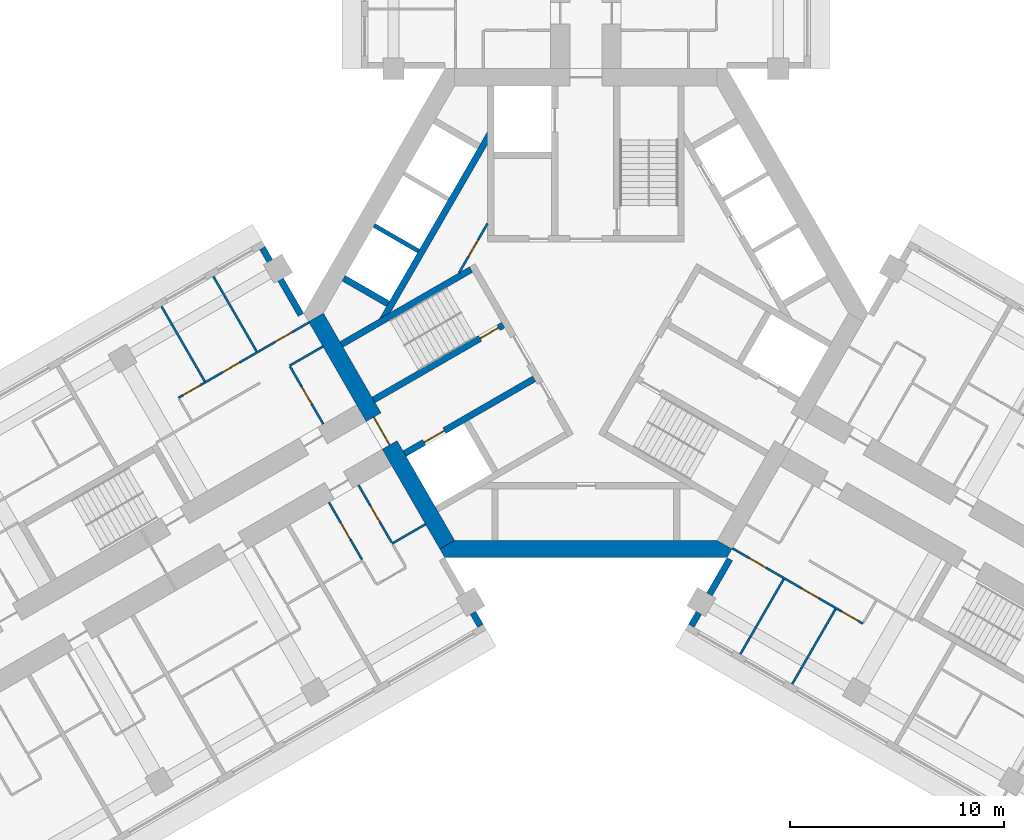
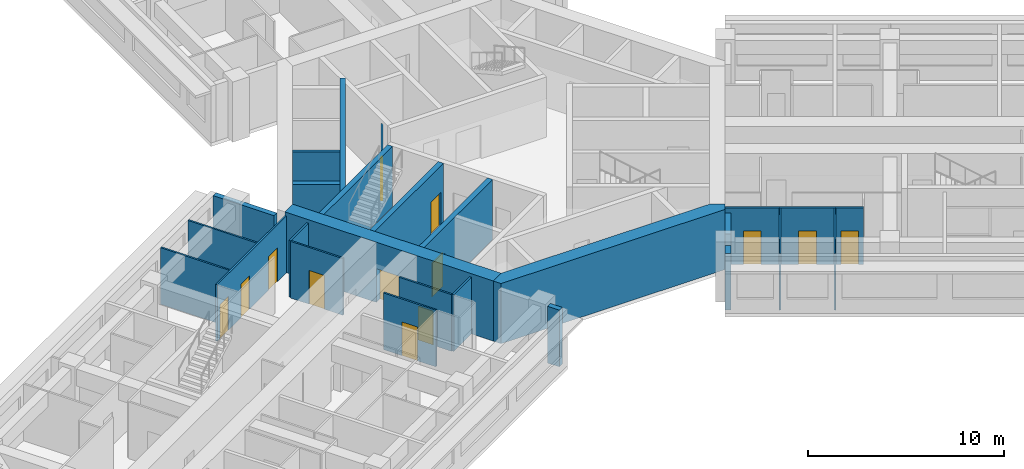
# One storey, part 5 of 14: 24 walls, 13 doors, 13 openings.
"""IFC4 building model written with IfcOpenShell, lengths in metres."""

from ifc_helpers import new_model, si_unit, direction, frame, frame_2d, origin, place, context, subcontext, project, spatial, polyline, rectangle, outline, extrude, material, layer, layer_set, type_object, element, fill, save


model = new_model("IFC4")

# Units and contexts
model_context = context("Model", 3, precision=1e-05, world=origin(), true_north=direction((0.0, 1.0)))
body_context = subcontext(model_context, "Body", "Model", "MODEL_VIEW")
ifc_project = project(units=[si_unit("LENGTHUNIT", "METRE"), si_unit("AREAUNIT", "SQUARE_METRE"), si_unit("VOLUMEUNIT", "CUBIC_METRE"), si_unit("PLANEANGLEUNIT", "RADIAN"), si_unit("MASSUNIT", "GRAM", prefix="KILO")], contexts=[model_context])

# Site, building, storey
site_placement = place(None, origin())
site = spatial("IfcSite", under=ifc_project, at=site_placement, CompositionType="ELEMENT")
building_placement = place(site_placement, origin())
building = spatial("IfcBuilding", under=site, at=building_placement, Name="Impinga Residences", CompositionType="ELEMENT")
storey_placement = place(building_placement, frame((0.0, 0.0, 158.5)))
storey = spatial("IfcBuildingStorey", under=building, at=storey_placement, Name="L39", CompositionType="ELEMENT", Elevation=158.5)

# Wall, opening, door
ifc_material_1 = material(Name="Concrete blockwork", Category="masonry")
ifc_layer_1 = layer(ifc_material_1, 0.10009765625)
ifc_layer_set_1 = layer_set([ifc_layer_1], Name="CP1 core room partition, blockwork 100")
wall_type_1 = type_object("IfcWallType", Name="CP1 core room partition, blockwork 100", PredefinedType="PARTITIONING", material=ifc_layer_set_1)
wall_1_placement = place(storey_placement, frame((-5.93359375, 1.885986328125, 0.0), z_axis=(0.0, 0.0, 1.0), x_axis=(0.500018294232, 0.866014841347, 0.0)))
wall_1 = element("IfcWall", 1, at=wall_1_placement, inside=storey, type_object=wall_type_1, Name="Core room partition, blockwork L39:CORE:high:FP", PredefinedType="PARTITIONING", context=body_context, shape_type="SweptSolid", body=[
    extrude(rectangle(XDim=2.6669921875, YDim=0.10009765625, at=frame_2d((1.33349609375, 0.0))), origin(), (0.0, 0.0, 1.0), 3.530029296875),
])
opening_1_placement = place(wall_1_placement, frame((0.883544921875, 0.0, 0.0)))
opening_1 = element("IfcOpeningElement", 2, at=opening_1_placement, cuts=wall_1, Name="Opening D6", PredefinedType="OPENING", context=body_context, shape_type="SweptSolid", body=[
    extrude(rectangle(XDim=0.89990234375, YDim=2.10009765625, at=frame_2d((0.449951171875, 1.050048828125))), frame((0.0, 0.06005859375, 0.0), z_axis=(0.0, -1.0, 0.0), x_axis=(1.0, 0.0, 0.0)), (0.0, 0.0, 1.0), 0.1201171875),
])
ifc_material_2 = material(Name="Timber door set", Category="wood")
door_type_1 = type_object("IfcDoorType", Name="D6 riser and store door 900x2100", OperationType="SINGLE_SWING_LEFT", PredefinedType="DOOR", material=ifc_material_2)
door_1_placement = place(opening_1_placement, origin())
door_1 = element("IfcDoor", 3, at=door_1_placement, inside=storey, type_object=door_type_1, Name="Refuse and recycling room door", OperationType="SINGLE_SWING_LEFT", OverallHeight=2.10009765625, OverallWidth=0.89990234375, PredefinedType="DOOR", context=body_context, shape_type="SweptSolid", body=[
    extrude(rectangle(XDim=0.89990234375, YDim=2.10009765625, at=frame_2d((0.449951171875, 1.050048828125))), frame((0.0, 0.02490234375, 0.0), z_axis=(0.0, -1.0, 0.0), x_axis=(1.0, 0.0, 0.0)), (0.0, 0.0, 1.0), 0.050048828125),
])
fill(opening_1, door_1)

# Walls
ifc_material_3 = material(Name="Terracotta rainscreen on blockwork", Category="masonry")
ifc_layer_2 = layer(ifc_material_3, 0.300048828125)
ifc_layer_set_2 = layer_set([ifc_layer_2], Name="EW1 external wall, terracotta rainscreen on blockwork 300")
wall_type_2 = type_object("IfcWallType", Name="EW1 external wall, terracotta rainscreen on blockwork 300", PredefinedType="SOLIDWALL", material=ifc_layer_set_2)
wall_2_placement = place(storey_placement, frame((-15.1298828125, 3.042724609375, 0.0), z_axis=(0.0, 0.0, 1.0), x_axis=(0.500012057535, -0.866018442252, 0.0)))
element("IfcWall", 4, at=wall_2_placement, inside=storey, type_object=wall_type_2, Name="External wall EW1 L39", PredefinedType="SOLIDWALL", context=body_context, shape_type="SweptSolid", body=[
    extrude(rectangle(XDim=3.60009765625, YDim=0.300048828125, at=frame_2d((1.800048828125, 0.0))), origin(), (0.0, 0.0, 1.0), 3.530029296875),
])
wall_3_placement = place(storey_placement, frame((4.929931640625, -14.624267578125, 0.0), z_axis=(0.0, 0.0, 1.0), x_axis=(0.499853302173, 0.866110083249, 0.0)))
element("IfcWall", 5, at=wall_3_placement, inside=storey, type_object=wall_type_2, Name="External wall EW1 L39", PredefinedType="SOLIDWALL", context=body_context, shape_type="SweptSolid", body=[
    extrude(rectangle(XDim=0.699951171875, YDim=0.300048828125, at=frame_2d((0.35009765625, 0.0))), origin(), (0.0, 0.0, 1.0), 3.530029296875),
])
wall_4_placement = place(storey_placement, frame((5.77978515625, -13.152099609375, 0.0), z_axis=(0.0, 0.0, 1.0), x_axis=(0.500063520245, 0.865988727248, 0.0)))
element("IfcWall", 6, at=wall_4_placement, inside=storey, type_object=wall_type_2, Name="External wall EW1 L39", PredefinedType="SOLIDWALL", context=body_context, shape_type="SweptSolid", body=[
    extrude(rectangle(XDim=1.900146484375, YDim=0.300048828125, at=frame_2d((0.9501953125, 0.0))), origin(), (0.0, 0.0, 1.0), 3.530029296875),
])
wall_5_placement = place(storey_placement, frame((-5.27978515625, -14.01806640625, 0.0), z_axis=(0.0, 0.0, 1.0), x_axis=(0.499853302173, -0.866110083249, 0.0)))
element("IfcWall", 7, at=wall_5_placement, inside=storey, type_object=wall_type_2, Name="External wall EW1 L39", PredefinedType="SOLIDWALL", context=body_context, shape_type="SweptSolid", body=[
    extrude(rectangle(XDim=0.699951171875, YDim=0.300048828125, at=frame_2d((0.35009765625, 0.0))), origin(), (0.0, 0.0, 1.0), 3.530029296875),
])
ifc_material_4 = material(Name="Gypsum board on steel studs", Category="steel")
ifc_layer_3 = layer(ifc_material_4, 0.10009765625)
ifc_layer_set_3 = layer_set([ifc_layer_3], Name="Gypsum board on steel studs")
wall_type_3 = type_object("IfcWallType", Name="IP1 partition 100", PredefinedType="PARTITIONING", material=ifc_layer_set_3)
wall_6_placement = place(storey_placement, frame((-7.5, -9.872802734375, 0.0), z_axis=(0.0, 0.0, 1.0), x_axis=(-0.866047807691, -0.499961193289, 0.0)))
element("IfcWall", 8, at=wall_6_placement, inside=storey, type_object=wall_type_3, Name="Partition L39-WA1:DIV0", PredefinedType="PARTITIONING", context=body_context, shape_type="SweptSolid", body=[
    extrude(rectangle(XDim=1.800048828125, YDim=0.10009765625, at=frame_2d((0.89990234375, 0.0))), origin(), (0.0, 0.0, 1.0), 3.530029296875),
])

# Wall, opening, door
wall_7_placement = place(storey_placement, frame((-10.6337890625, -8.044677734375, 0.0), z_axis=(0.0, 0.0, 1.0), x_axis=(0.49999285859, -0.86602952684, 0.0)))
wall_7 = element("IfcWall", 9, at=wall_7_placement, inside=storey, type_object=wall_type_3, Name="Partition L39-WA1:IB1", PredefinedType="PARTITIONING", context=body_context, shape_type="SweptSolid", body=[
    extrude(rectangle(XDim=3.10009765625, YDim=0.10009765625, at=frame_2d((1.550048828125, 0.0))), origin(), (0.0, 0.0, 1.0), 3.530029296875),
])
opening_2_placement = place(wall_7_placement, frame((1.10009765625, 0.0, 0.0)))
opening_2 = element("IfcOpeningElement", 10, at=opening_2_placement, cuts=wall_7, Name="Opening D2", PredefinedType="OPENING", context=body_context, shape_type="SweptSolid", body=[
    extrude(rectangle(XDim=0.89990234375, YDim=2.10009765625, at=frame_2d((0.449951171875, 1.050048828125))), frame((0.0, 0.06005859375, 0.0), z_axis=(0.0, -1.0, 0.0), x_axis=(1.0, 0.0, 0.0)), (0.0, 0.0, 1.0), 0.1201171875),
])
door_type_2 = type_object("IfcDoorType", Name="D2 internal door 900x2100", OperationType="SINGLE_SWING_LEFT", PredefinedType="DOOR", material=ifc_material_2)
door_2_placement = place(opening_2_placement, origin())
door_2 = element("IfcDoor", 11, at=door_2_placement, inside=storey, type_object=door_type_2, Name="Apartment L39-WA1 bathroom door", OperationType="SINGLE_SWING_LEFT", OverallHeight=2.10009765625, OverallWidth=0.89990234375, PredefinedType="DOOR", context=body_context, shape_type="SweptSolid", body=[
    extrude(rectangle(XDim=0.89990234375, YDim=2.10009765625, at=frame_2d((0.449951171875, 1.050048828125))), frame((0.0, 0.02490234375, 0.0), z_axis=(0.0, -1.0, 0.0), x_axis=(1.0, 0.0, 0.0)), (0.0, 0.0, 1.0), 0.050048828125),
])
fill(opening_2, door_2)

wall_8_placement = place(storey_placement, frame((-12.01953125, -8.8447265625, 0.0), z_axis=(0.0, 0.0, 1.0), x_axis=(0.500026960575, -0.86600983753, 0.0)))
wall_8 = element("IfcWall", 12, at=wall_8_placement, inside=storey, type_object=wall_type_3, Name="Partition L39-WA1:IB2", PredefinedType="PARTITIONING", context=body_context, shape_type="SweptSolid", body=[
    extrude(rectangle(XDim=3.099853515625, YDim=0.10009765625, at=frame_2d((1.5498046875, 0.0))), origin(), (0.0, 0.0, 1.0), 3.530029296875),
])
opening_3_placement = place(wall_8_placement, frame((1.10009765625, 0.0, 0.0)))
opening_3 = element("IfcOpeningElement", 13, at=opening_3_placement, cuts=wall_8, Name="Opening D2", PredefinedType="OPENING", context=body_context, shape_type="SweptSolid", body=[
    extrude(rectangle(XDim=0.89990234375, YDim=2.10009765625, at=frame_2d((0.449951171875, 1.050048828125))), frame((0.0, 0.06005859375, 0.0), z_axis=(0.0, -1.0, 0.0), x_axis=(1.0, 0.0, 0.0)), (0.0, 0.0, 1.0), 0.1201171875),
])
door_3_placement = place(opening_3_placement, origin())
door_3 = element("IfcDoor", 14, at=door_3_placement, inside=storey, type_object=door_type_2, Name="Apartment L39-WA1 WC door", OperationType="SINGLE_SWING_LEFT", OverallHeight=2.10009765625, OverallWidth=0.89990234375, PredefinedType="DOOR", context=body_context, shape_type="SweptSolid", body=[
    extrude(rectangle(XDim=0.89990234375, YDim=2.10009765625, at=frame_2d((0.449951171875, 1.050048828125))), frame((0.0, 0.02490234375, 0.0), z_axis=(0.0, -1.0, 0.0), x_axis=(1.0, 0.0, 0.0)), (0.0, 0.0, 1.0), 0.050048828125),
])
fill(opening_3, door_3)

# Wall
wall_9_placement = place(storey_placement, frame((-12.300048828125, -1.558837890625, 0.0), z_axis=(0.0, 0.0, 1.0), x_axis=(-0.866047807691, -0.499961193289, 0.0)))
element("IfcWall", 15, at=wall_9_placement, inside=storey, type_object=wall_type_3, Name="Partition L39-WF1:DIV0", PredefinedType="PARTITIONING", context=body_context, shape_type="SweptSolid", body=[
    extrude(rectangle(XDim=1.800048828125, YDim=0.10009765625, at=frame_2d((0.89990234375, 0.0))), origin(), (0.0, 0.0, 1.0), 3.530029296875),
])

# Wall, openings, doors
wall_10_placement = place(storey_placement, frame((-12.949951171875, -0.43310546875, 0.0), z_axis=(0.0, 0.0, 1.0), x_axis=(-0.866031034943, -0.499990246421, 0.0)))
wall_10 = element("IfcWall", 16, at=wall_10_placement, inside=storey, type_object=wall_type_3, Name="Partition L39-WF1:STRIP", PredefinedType="PARTITIONING", context=body_context, shape_type="SweptSolid", body=[
    extrude(rectangle(XDim=7.050048828125, YDim=0.10009765625, at=frame_2d((3.52490234375, 0.0))), origin(), (0.0, 0.0, 1.0), 3.530029296875),
])
opening_4_placement = place(wall_10_placement, frame((0.925048828125, 0.0, 0.0)))
opening_4 = element("IfcOpeningElement", 17, at=opening_4_placement, cuts=wall_10, Name="Opening D2", PredefinedType="OPENING", context=body_context, shape_type="SweptSolid", body=[
    extrude(rectangle(XDim=0.89990234375, YDim=2.10009765625, at=frame_2d((0.449951171875, 1.050048828125))), frame((0.0, 0.06005859375, 0.0), z_axis=(0.0, -1.0, 0.0), x_axis=(1.0, 0.0, 0.0)), (0.0, 0.0, 1.0), 0.1201171875),
])
opening_5_placement = place(wall_10_placement, frame((3.75, 0.0, 0.0)))
opening_5 = element("IfcOpeningElement", 18, at=opening_5_placement, cuts=wall_10, Name="Opening D2", PredefinedType="OPENING", context=body_context, shape_type="SweptSolid", body=[
    extrude(rectangle(XDim=0.89990234375, YDim=2.10009765625, at=frame_2d((0.449951171875, 1.050048828125))), frame((0.0, 0.06005859375, 0.0), z_axis=(0.0, -1.0, 0.0), x_axis=(1.0, 0.0, 0.0)), (0.0, 0.0, 1.0), 0.1201171875),
])
opening_6_placement = place(wall_10_placement, frame((5.89990234375, 0.0, 0.0)))
opening_6 = element("IfcOpeningElement", 19, at=opening_6_placement, cuts=wall_10, Name="Opening D2", PredefinedType="OPENING", context=body_context, shape_type="SweptSolid", body=[
    extrude(rectangle(XDim=0.89990234375, YDim=2.10009765625, at=frame_2d((0.449951171875, 1.050048828125))), frame((0.0, 0.06005859375, 0.0), z_axis=(0.0, -1.0, 0.0), x_axis=(1.0, 0.0, 0.0)), (0.0, 0.0, 1.0), 0.1201171875),
])
door_4_placement = place(opening_4_placement, origin())
door_4 = element("IfcDoor", 20, at=door_4_placement, inside=storey, type_object=door_type_2, Name="Apartment L39-WF1 room door", OperationType="SINGLE_SWING_LEFT", OverallHeight=2.10009765625, OverallWidth=0.89990234375, PredefinedType="DOOR", context=body_context, shape_type="SweptSolid", body=[
    extrude(rectangle(XDim=0.89990234375, YDim=2.10009765625, at=frame_2d((0.449951171875, 1.050048828125))), frame((0.0, 0.02490234375, 0.0), z_axis=(0.0, -1.0, 0.0), x_axis=(1.0, 0.0, 0.0)), (0.0, 0.0, 1.0), 0.050048828125),
])
fill(opening_4, door_4)
door_5_placement = place(opening_5_placement, origin())
door_5 = element("IfcDoor", 21, at=door_5_placement, inside=storey, type_object=door_type_2, Name="Apartment L39-WF1 room door", OperationType="SINGLE_SWING_RIGHT", OverallHeight=2.10009765625, OverallWidth=0.89990234375, PredefinedType="DOOR", context=body_context, shape_type="SweptSolid", body=[
    extrude(rectangle(XDim=0.89990234375, YDim=2.10009765625, at=frame_2d((0.449951171875, 1.050048828125))), frame((0.0, 0.02490234375, 0.0), z_axis=(0.0, -1.0, 0.0), x_axis=(1.0, 0.0, 0.0)), (0.0, 0.0, 1.0), 0.050048828125),
])
fill(opening_5, door_5)
door_6_placement = place(opening_6_placement, origin())
door_6 = element("IfcDoor", 22, at=door_6_placement, inside=storey, type_object=door_type_2, Name="Apartment L39-WF1 room door", OperationType="SINGLE_SWING_RIGHT", OverallHeight=2.10009765625, OverallWidth=0.89990234375, PredefinedType="DOOR", context=body_context, shape_type="SweptSolid", body=[
    extrude(rectangle(XDim=0.89990234375, YDim=2.10009765625, at=frame_2d((0.449951171875, 1.050048828125))), frame((0.0, 0.02490234375, 0.0), z_axis=(0.0, -1.0, 0.0), x_axis=(1.0, 0.0, 0.0)), (0.0, 0.0, 1.0), 0.050048828125),
])
fill(opening_6, door_6)

# Wall, opening, door
wall_11_placement = place(storey_placement, frame((-12.283935546875, -5.186767578125, 0.0), z_axis=(0.0, 0.0, 1.0), x_axis=(-0.499967891604, 0.866043940782, 0.0)))
wall_11 = element("IfcWall", 23, at=wall_11_placement, inside=storey, type_object=wall_type_3, Name="Partition L39-WF1:IB1", PredefinedType="PARTITIONING", context=body_context, shape_type="SweptSolid", body=[
    extrude(rectangle(XDim=3.099853515625, YDim=0.10009765625, at=frame_2d((1.5498046875, 0.0))), origin(), (0.0, 0.0, 1.0), 3.530029296875),
])
opening_7_placement = place(wall_11_placement, frame((1.10009765625, 0.0, 0.0)))
opening_7 = element("IfcOpeningElement", 24, at=opening_7_placement, cuts=wall_11, Name="Opening D2", PredefinedType="OPENING", context=body_context, shape_type="SweptSolid", body=[
    extrude(rectangle(XDim=0.89990234375, YDim=2.10009765625, at=frame_2d((0.449951171875, 1.050048828125))), frame((0.0, 0.06005859375, 0.0), z_axis=(0.0, -1.0, 0.0), x_axis=(1.0, 0.0, 0.0)), (0.0, 0.0, 1.0), 0.1201171875),
])
door_7_placement = place(opening_7_placement, origin())
door_7 = element("IfcDoor", 25, at=door_7_placement, inside=storey, type_object=door_type_2, Name="Apartment L39-WF1 bathroom door", OperationType="SINGLE_SWING_LEFT", OverallHeight=2.10009765625, OverallWidth=0.89990234375, PredefinedType="DOOR", context=body_context, shape_type="SweptSolid", body=[
    extrude(rectangle(XDim=0.89990234375, YDim=2.10009765625, at=frame_2d((0.449951171875, 1.050048828125))), frame((0.0, 0.02490234375, 0.0), z_axis=(0.0, -1.0, 0.0), x_axis=(1.0, 0.0, 0.0)), (0.0, 0.0, 1.0), 0.050048828125),
])
fill(opening_7, door_7)

# Walls
for number, where, z_axis, x_axis, name in (
    (26, (-15.39990234375, -1.789794921875, 0.0), (0.0, 0.0, 1.0), (-0.499964223975, 0.866046058097, 0.0), "Partition L39-WF1:OB1"),
    (27, (-17.82470703125, -3.189697265625, 0.0), (0.0, 0.0, 1.0), (-0.500035537042, 0.866004885491, 0.0), "Partition L39-WF1:OB2"),
):
    element("IfcWall", number, at=place(storey_placement, frame(where, z_axis=z_axis, x_axis=x_axis)), inside=storey, type_object=wall_type_3, Name=name, PredefinedType="PARTITIONING", context=body_context, shape_type="SweptSolid", body=[
        extrude(rectangle(XDim=4.050048828125, YDim=0.10009765625, at=frame_2d((2.02490234375, 0.0))), origin(), (0.0, 0.0, 1.0), 3.530029296875),
    ])

# Wall, openings, doors
wall_12_placement = place(storey_placement, frame((6.85009765625, -10.99853515625, 0.0), z_axis=(0.0, 0.0, 1.0), x_axis=(0.866031034943, -0.499990246421, 0.0)))
wall_12 = element("IfcWall", 28, at=wall_12_placement, inside=storey, type_object=wall_type_3, Name="Partition L39-EF1:STRIP", PredefinedType="PARTITIONING", context=body_context, shape_type="SweptSolid", body=[
    extrude(rectangle(XDim=7.050048828125, YDim=0.10009765625, at=frame_2d((3.52490234375, 0.0))), origin(), (0.0, 0.0, 1.0), 3.530029296875),
])
opening_8_placement = place(wall_12_placement, frame((0.925048828125, 0.0, 0.0)))
opening_8 = element("IfcOpeningElement", 29, at=opening_8_placement, cuts=wall_12, Name="Opening D2", PredefinedType="OPENING", context=body_context, shape_type="SweptSolid", body=[
    extrude(rectangle(XDim=0.89990234375, YDim=2.10009765625, at=frame_2d((0.449951171875, 1.050048828125))), frame((0.0, 0.06005859375, 0.0), z_axis=(0.0, -1.0, 0.0), x_axis=(1.0, 0.0, 0.0)), (0.0, 0.0, 1.0), 0.1201171875),
])
opening_9_placement = place(wall_12_placement, frame((3.75, 0.0, 0.0)))
opening_9 = element("IfcOpeningElement", 30, at=opening_9_placement, cuts=wall_12, Name="Opening D2", PredefinedType="OPENING", context=body_context, shape_type="SweptSolid", body=[
    extrude(rectangle(XDim=0.89990234375, YDim=2.10009765625, at=frame_2d((0.449951171875, 1.050048828125))), frame((0.0, 0.06005859375, 0.0), z_axis=(0.0, -1.0, 0.0), x_axis=(1.0, 0.0, 0.0)), (0.0, 0.0, 1.0), 0.1201171875),
])
opening_10_placement = place(wall_12_placement, frame((5.89990234375, 0.0, 0.0)))
opening_10 = element("IfcOpeningElement", 31, at=opening_10_placement, cuts=wall_12, Name="Opening D2", PredefinedType="OPENING", context=body_context, shape_type="SweptSolid", body=[
    extrude(rectangle(XDim=0.89990234375, YDim=2.10009765625, at=frame_2d((0.449951171875, 1.050048828125))), frame((0.0, 0.06005859375, 0.0), z_axis=(0.0, -1.0, 0.0), x_axis=(1.0, 0.0, 0.0)), (0.0, 0.0, 1.0), 0.1201171875),
])
door_8_placement = place(opening_8_placement, origin())
door_8 = element("IfcDoor", 32, at=door_8_placement, inside=storey, type_object=door_type_2, Name="Apartment L39-EF1 room door", OperationType="SINGLE_SWING_LEFT", OverallHeight=2.10009765625, OverallWidth=0.89990234375, PredefinedType="DOOR", context=body_context, shape_type="SweptSolid", body=[
    extrude(rectangle(XDim=0.89990234375, YDim=2.10009765625, at=frame_2d((0.449951171875, 1.050048828125))), frame((0.0, 0.02490234375, 0.0), z_axis=(0.0, -1.0, 0.0), x_axis=(1.0, 0.0, 0.0)), (0.0, 0.0, 1.0), 0.050048828125),
])
fill(opening_8, door_8)
door_9_placement = place(opening_9_placement, origin())
door_9 = element("IfcDoor", 33, at=door_9_placement, inside=storey, type_object=door_type_2, Name="Apartment L39-EF1 room door", OperationType="SINGLE_SWING_RIGHT", OverallHeight=2.10009765625, OverallWidth=0.89990234375, PredefinedType="DOOR", context=body_context, shape_type="SweptSolid", body=[
    extrude(rectangle(XDim=0.89990234375, YDim=2.10009765625, at=frame_2d((0.449951171875, 1.050048828125))), frame((0.0, 0.02490234375, 0.0), z_axis=(0.0, -1.0, 0.0), x_axis=(1.0, 0.0, 0.0)), (0.0, 0.0, 1.0), 0.050048828125),
])
fill(opening_9, door_9)
door_10_placement = place(opening_10_placement, origin())
door_10 = element("IfcDoor", 34, at=door_10_placement, inside=storey, type_object=door_type_2, Name="Apartment L39-EF1 room door", OperationType="SINGLE_SWING_RIGHT", OverallHeight=2.10009765625, OverallWidth=0.89990234375, PredefinedType="DOOR", context=body_context, shape_type="SweptSolid", body=[
    extrude(rectangle(XDim=0.89990234375, YDim=2.10009765625, at=frame_2d((0.449951171875, 1.050048828125))), frame((0.0, 0.02490234375, 0.0), z_axis=(0.0, -1.0, 0.0), x_axis=(1.0, 0.0, 0.0)), (0.0, 0.0, 1.0), 0.050048828125),
])
fill(opening_10, door_10)

# Walls
wall_13_placement = place(storey_placement, frame((9.249755859375, -12.44189453125, 0.0), z_axis=(0.0, 0.0, 1.0), x_axis=(-0.499990325971, -0.866030989016, 0.0)))
element("IfcWall", 35, at=wall_13_placement, inside=storey, type_object=wall_type_3, Name="Partition L39-EF1:OB1", PredefinedType="PARTITIONING", context=body_context, shape_type="SweptSolid", body=[
    extrude(rectangle(XDim=4.0498046875, YDim=0.10009765625, at=frame_2d((2.02490234375, 0.0))), origin(), (0.0, 0.0, 1.0), 3.530029296875),
])
wall_14_placement = place(storey_placement, frame((11.6748046875, -13.841796875, 0.0), z_axis=(0.0, 0.0, 1.0), x_axis=(-0.500035537042, -0.866004885491, 0.0)))
element("IfcWall", 36, at=wall_14_placement, inside=storey, type_object=wall_type_3, Name="Partition L39-EF1:OB2", PredefinedType="PARTITIONING", context=body_context, shape_type="SweptSolid", body=[
    extrude(rectangle(XDim=4.050048828125, YDim=0.10009765625, at=frame_2d((2.02490234375, 0.0))), origin(), (0.0, 0.0, 1.0), 3.530029296875),
])

# Wall, opening, door
ifc_material_5 = material(Name="Concrete C60/75", Category="concrete")
ifc_layer_4 = layer(ifc_material_5, 0.800048828125)
ifc_layer_set_4 = layer_set([ifc_layer_4], Name="Concrete C60/75")
wall_type_4 = type_object("IfcWallType", Name="SW2 core wall 800", PredefinedType="SHEAR", material=ifc_layer_set_4)
wall_15_placement = place(storey_placement, frame((-6.484619140625, -10.83154296875, 0.0), z_axis=(0.0, 0.0, 1.0), x_axis=(-0.499986991068, 0.866032914365, 0.0)))
wall_15 = element("IfcWall", 37, at=wall_15_placement, inside=storey, type_object=wall_type_4, Name="Core wall SW2 W:FACE L39", PredefinedType="SHEAR", context=body_context, shape_type="SweptSolid", body=[
    extrude(rectangle(XDim=12.276123046875, YDim=0.800048828125, at=frame_2d((6.13818359375, 0.0))), origin(), (0.0, 0.0, 1.0), 3.75),
])
opening_11_placement = place(wall_15_placement, frame((5.38818359375, 0.0, 0.0)))
opening_11 = element("IfcOpeningElement", 38, at=opening_11_placement, cuts=wall_15, Name="Opening D4", PredefinedType="OPENING", context=body_context, shape_type="SweptSolid", body=[
    extrude(rectangle(XDim=1.5, YDim=2.10009765625, at=frame_2d((0.75, 1.050048828125))), frame((0.0, 0.409912109375, 0.0), z_axis=(0.0, -1.0, 0.0), x_axis=(1.0, 0.0, 0.0)), (0.0, 0.0, 1.0), 0.820068359375),
])
door_type_3 = type_object("IfcDoorType", Name="D4 lobby door pair 1500x2100", OperationType="DOUBLE_DOOR_DOUBLE_SWING", PredefinedType="DOOR", material=ifc_material_2)
door_11_placement = place(opening_11_placement, origin())
door_11 = element("IfcDoor", 39, at=door_11_placement, inside=storey, type_object=door_type_3, Name="Lobby door W", OperationType="DOUBLE_DOOR_DOUBLE_SWING", OverallHeight=2.10009765625, OverallWidth=1.5, PredefinedType="DOOR", context=body_context, shape_type="SweptSolid", body=[
    extrude(rectangle(XDim=1.5, YDim=2.10009765625, at=frame_2d((0.75, 1.050048828125))), frame((0.0, 0.02490234375, 0.0), z_axis=(0.0, -1.0, 0.0), x_axis=(1.0, 0.0, 0.0)), (0.0, 0.0, 1.0), 0.050048828125),
])
fill(opening_11, door_11)

# Wall
wall_16_placement = place(storey_placement, origin())
element("IfcWall", 40, at=wall_16_placement, inside=storey, type_object=wall_type_4, Name="Core wall SW2 N:EXPOSED L39", PredefinedType="SHEAR", context=body_context, shape_type="SweptSolid", body=[
    extrude(outline(polyline([(-6.60009765625, -11.431640625), (6.60009765625, -11.431640625), (6.8310546875, -11.031494140625), (6.13818359375, -10.631591796875), (-6.13818359375, -10.631591796875), (-6.8310546875, -11.031494140625), (-6.60009765625, -11.431640625)])), origin(), (0.0, 0.0, 1.0), 3.75),
])

# Wall, opening, door
ifc_material_6 = material(Name="Concrete C70/85", Category="concrete")
ifc_layer_5 = layer(ifc_material_6, 0.300048828125)
ifc_layer_set_5 = layer_set([ifc_layer_5], Name="Concrete C70/85")
wall_type_5 = type_object("IfcWallType", Name="SW5 core inner wall, stairs, shafts and lobbies 300", PredefinedType="SHEAR", material=ifc_layer_set_5)
wall_17_placement = place(storey_placement, frame((-3.86865234375, -0.559326171875, 0.0), z_axis=(0.0, 0.0, 1.0), x_axis=(-0.866026480128, -0.499998135713, 0.0)))
wall_17 = element("IfcWall", 41, at=wall_17_placement, inside=storey, type_object=wall_type_5, Name="Core wall SW5 W:ST-IN L39", PredefinedType="SHEAR", context=body_context, shape_type="SweptSolid", body=[
    extrude(rectangle(XDim=7.00146484375, YDim=0.300048828125, at=frame_2d((3.500732421875, 0.0))), origin(), (0.0, 0.0, 1.0), 3.75),
])
opening_12_placement = place(wall_17_placement, frame((0.25, 0.0, 0.0)))
opening_12 = element("IfcOpeningElement", 42, at=opening_12_placement, cuts=wall_17, Name="Opening D5", PredefinedType="OPENING", context=body_context, shape_type="SweptSolid", body=[
    extrude(rectangle(XDim=1.0, YDim=2.10009765625, at=frame_2d((0.5, 1.050048828125))), frame((0.0, 0.159912109375, 0.0), z_axis=(0.0, -1.0, 0.0), x_axis=(1.0, 0.0, 0.0)), (0.0, 0.0, 1.0), 0.320068359375),
])
door_type_4 = type_object("IfcDoorType", Name="D5 stair door 1000x2100", OperationType="SINGLE_SWING_LEFT", PredefinedType="DOOR", material=ifc_material_2)
door_12_placement = place(opening_12_placement, origin())
door_12 = element("IfcDoor", 43, at=door_12_placement, inside=storey, type_object=door_type_4, Name="Stair door W", OperationType="SINGLE_SWING_LEFT", OverallHeight=2.10009765625, OverallWidth=1.0, PredefinedType="DOOR", context=body_context, shape_type="SweptSolid", body=[
    extrude(rectangle(XDim=1.0, YDim=2.10009765625, at=frame_2d((0.5, 1.050048828125))), frame((0.0, 0.02490234375, 0.0), z_axis=(0.0, -1.0, 0.0), x_axis=(1.0, 0.0, 0.0)), (0.0, 0.0, 1.0), 0.050048828125),
])
fill(opening_12, door_12)

# Wall
wall_18_placement = place(storey_placement, frame((-5.36865234375, 2.038818359375, 0.0), z_axis=(0.0, 0.0, 1.0), x_axis=(-0.866026480128, -0.499998135713, 0.0)))
element("IfcWall", 44, at=wall_18_placement, inside=storey, type_object=wall_type_5, Name="Core wall SW5 W:ST-OUT L39", PredefinedType="SHEAR", context=body_context, shape_type="SweptSolid", body=[
    extrude(rectangle(XDim=7.00146484375, YDim=0.300048828125, at=frame_2d((3.500732421875, 0.0))), origin(), (0.0, 0.0, 1.0), 3.75),
])

# Wall, opening, door
wall_19_placement = place(storey_placement, frame((-2.418701171875, -3.07080078125, 0.0), z_axis=(0.0, 0.0, 1.0), x_axis=(-0.866026480128, -0.499998135713, 0.0)))
wall_19 = element("IfcWall", 45, at=wall_19_placement, inside=storey, type_object=wall_type_5, Name="Core wall SW5 W:FF-IN L39", PredefinedType="SHEAR", context=body_context, shape_type="SweptSolid", body=[
    extrude(rectangle(XDim=7.00146484375, YDim=0.300048828125, at=frame_2d((3.500732421875, 0.0))), origin(), (0.0, 0.0, 1.0), 3.75),
])
opening_13_placement = place(wall_19_placement, frame((4.85009765625, 0.0, 0.0)))
opening_13 = element("IfcOpeningElement", 46, at=opening_13_placement, cuts=wall_19, Name="Opening LD2", PredefinedType="OPENING", context=body_context, shape_type="SweptSolid", body=[
    extrude(rectangle(XDim=1.10009765625, YDim=2.10009765625, at=frame_2d((0.550048828125, 1.050048828125))), frame((0.0, 0.159912109375, 0.0), z_axis=(0.0, -1.0, 0.0), x_axis=(1.0, 0.0, 0.0)), (0.0, 0.0, 1.0), 0.320068359375),
])
ifc_material_7 = material(Name="Steel lift landing door", Category="steel")
door_type_5 = type_object("IfcDoorType", Name="LD2 firefighting lift landing door 1100x2100", OperationType="DOUBLE_DOOR_SLIDING", PredefinedType="DOOR", material=ifc_material_7)
door_13_placement = place(opening_13_placement, origin())
door_13 = element("IfcDoor", 47, at=door_13_placement, inside=storey, type_object=door_type_5, Name="Firefighting lift landing door F2", OperationType="DOUBLE_DOOR_SLIDING", OverallHeight=2.10009765625, OverallWidth=1.10009765625, PredefinedType="DOOR", context=body_context, shape_type="SweptSolid", body=[
    extrude(rectangle(XDim=1.10009765625, YDim=2.10009765625, at=frame_2d((0.550048828125, 1.050048828125))), frame((0.0, 0.02490234375, 0.0), z_axis=(0.0, -1.0, 0.0), x_axis=(1.0, 0.0, 0.0)), (0.0, 0.0, 1.0), 0.050048828125),
])
fill(opening_13, door_13)

# Walls
wall_20_placement = place(storey_placement, frame((-9.547607421875, -0.3740234375, 0.0), z_axis=(0.0, 0.0, 1.0), x_axis=(0.500002290144, 0.866024081565, 0.0)))
element("IfcWall", 48, at=wall_20_placement, inside=storey, type_object=wall_type_5, Name="Core wall SW5 E:BANK-FRONT L39", PredefinedType="SHEAR", context=body_context, shape_type="SweptSolid", body=[
    extrude(rectangle(XDim=10.1953125, YDim=0.300048828125, at=frame_2d((5.09765625, 0.0))), origin(), (0.0, 0.0, 1.0), 3.75),
])
wall_21_placement = place(storey_placement, frame((-9.253662109375, 0.43505859375, 0.0), z_axis=(0.0, 0.0, 1.0), x_axis=(-0.866006032174, 0.500033551112, 0.0)))
element("IfcWall", 49, at=wall_21_placement, inside=storey, type_object=wall_type_5, Name="Core wall SW5 E:BANK-L L39", PredefinedType="SHEAR", context=body_context, shape_type="SweptSolid", body=[
    extrude(rectangle(XDim=2.400146484375, YDim=0.300048828125, at=frame_2d((1.2001953125, 0.0))), origin(), (0.0, 0.0, 1.0), 3.75),
])
ifc_layer_6 = layer(ifc_material_6, 0.199951171875)
ifc_layer_set_6 = layer_set([ifc_layer_6], Name="Concrete C70/85")
wall_type_6 = type_object("IfcWallType", Name="SW6 lift shaft divider wall 200", PredefinedType="SHEAR", material=ifc_layer_set_6)
wall_22_placement = place(storey_placement, frame((-7.82861328125, 2.9033203125, 0.0), z_axis=(0.0, 0.0, 1.0), x_axis=(-0.866050077142, 0.499957262057, 0.0)))
element("IfcWall", 50, at=wall_22_placement, inside=storey, type_object=wall_type_6, Name="Core wall SW6 E:BANK-D1 L39", PredefinedType="SHEAR", context=body_context, shape_type="SweptSolid", body=[
    extrude(rectangle(XDim=2.400146484375, YDim=0.199951171875, at=frame_2d((1.2001953125, 0.0))), origin(), (0.0, 0.0, 1.0), 3.75),
])

save(model, "model.ifc")
